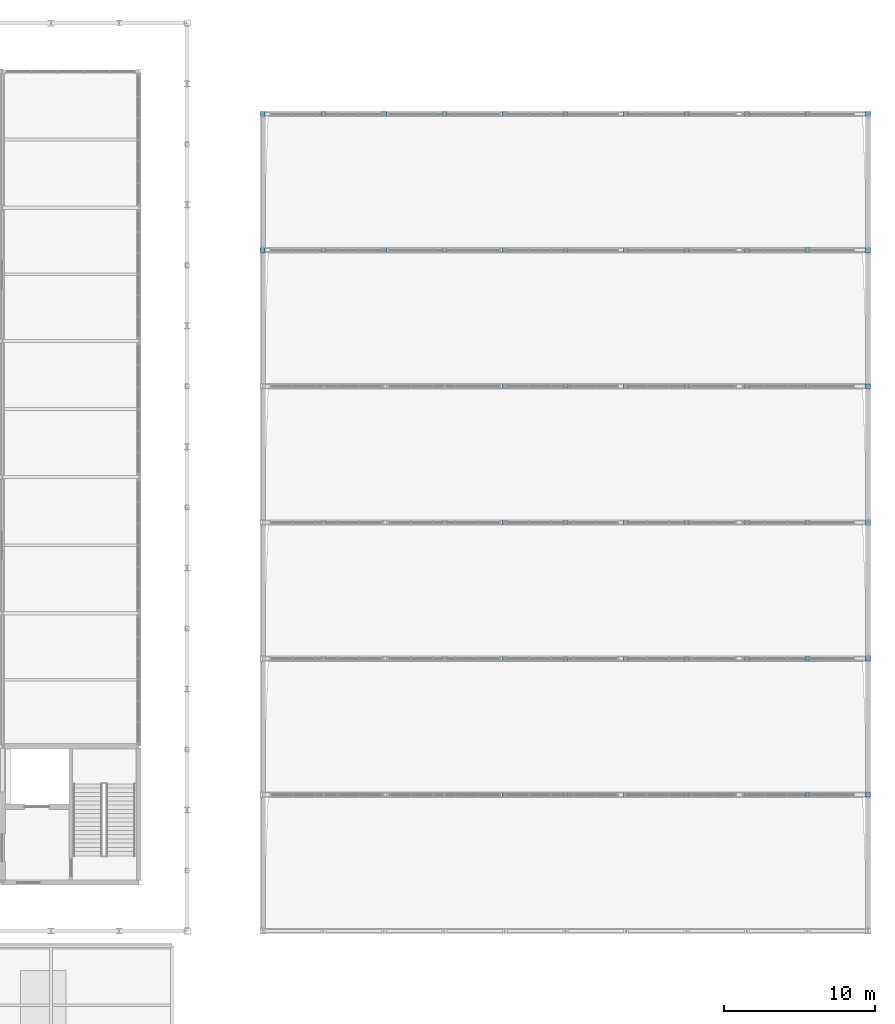
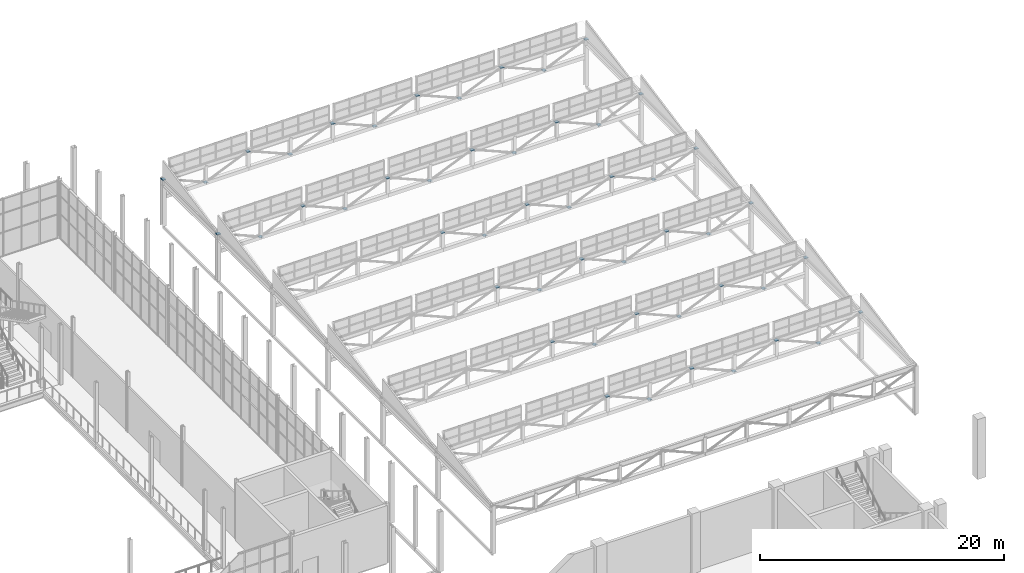
# One storey, part 138 of 159: 50 discrete accessories.
"""IFC4 building model written with IfcOpenShell, lengths in metres."""

import ifcopenshell
import ifcopenshell.guid

model = None  # the IFC model being written
_history = None  # IfcOwnerHistory: only IFC2X3 demands one
_inside = {}  # id of a spatial element -> (the spatial element, [elements in it])
_under = {}  # id of a project, library or spatial element -> (it, [spatial elements below it])
_declared = {}  # id of a project -> (the project, [libraries it declares])
_typed = {}  # id of a type object -> (the type object, [elements of that type])
_made_of = {}  # id of a material, layer set ... -> (it, [elements and type objects made of it])


def new_model(schema):
    """Start an empty IFC model of exactly this schema.

    Asked for "IFC4X3", IfcOpenShell would pick the latest addendum, in which some entities
    have other attributes; the version numbers below select the first issue.
    IFC2X3 requires an IfcOwnerHistory on every rooted entity: one is made here for all.
    """
    global model, _history
    if schema == "IFC4X3":
        model = ifcopenshell.file(schema_version=(4, 3, 0, 0))
    else:
        model = ifcopenshell.file(schema=schema)
    _inside.clear()
    _under.clear()
    _declared.clear()
    _typed.clear()
    _made_of.clear()
    _history = None
    if model.schema == "IFC2X3":
        org = make("IfcOrganization", Name="unknown")
        user = make(
            "IfcPersonAndOrganization",
            ThePerson=make("IfcPerson", FamilyName="unknown"),
            TheOrganization=org,
        )
        app = make(
            "IfcApplication",
            ApplicationDeveloper=org,
            Version="unknown",
            ApplicationFullName="unknown",
            ApplicationIdentifier="unknown",
        )
        _history = make(
            "IfcOwnerHistory",
            OwningUser=user,
            OwningApplication=app,
            ChangeAction="ADDED",
            CreationDate=0,
        )
    return model


def make(cls, **values):
    """One entity of the class cls with the attributes given. An attribute that is None is left unset."""
    return model.create_entity(
        cls, **{name: value for name, value in values.items() if value is not None}
    )


def rooted(cls, **values):
    """An entity with a GlobalId (a new one), such as an element, a storey or a relation."""
    return make(cls, GlobalId=ifcopenshell.guid.new(), OwnerHistory=_history, **values)


def si_unit(unit_type, name, prefix=None):
    """IfcSIUnit, for example si_unit("LENGTHUNIT", "METRE", prefix="MILLI")."""
    return make("IfcSIUnit", UnitType=unit_type, Prefix=prefix, Name=name)


def assignment(units):
    """IfcUnitAssignment: the units of a project."""
    return None if units is None else make("IfcUnitAssignment", Units=units)


def point(xyz):
    """IfcCartesianPoint."""
    return None if xyz is None else make("IfcCartesianPoint", Coordinates=xyz)


def direction(xyz):
    """IfcDirection."""
    return None if xyz is None else make("IfcDirection", DirectionRatios=xyz)


def frame(location, z_axis=None, x_axis=None):
    """IfcAxis2Placement3D, a coordinate frame: its origin and axes. An axis left out is left unset."""
    return make(
        "IfcAxis2Placement3D",
        Location=point(location),
        Axis=direction(z_axis),
        RefDirection=direction(x_axis),
    )


def frame_2d(location, x_axis=None):
    """IfcAxis2Placement2D, a coordinate frame in the plane: its origin and x axis."""
    return make(
        "IfcAxis2Placement2D", Location=point(location), RefDirection=direction(x_axis)
    )


def origin():
    """The frame at (0, 0, 0) with its axes left unset."""
    return frame((0.0, 0.0, 0.0))


def origin_2d():
    """The frame at (0, 0) in the plane with its x axis left unset."""
    return frame_2d((0.0, 0.0))


def place(relative_to, where):
    """IfcLocalPlacement: puts the frame where relative to a parent placement (None: the world)."""
    return make(
        "IfcLocalPlacement", PlacementRelTo=relative_to, RelativePlacement=where
    )


def context(
    kind, dimensions, precision=None, world=None, true_north=None, identifier=None
):
    """IfcGeometricRepresentationContext, for example the 3D "Model" context."""
    return make(
        "IfcGeometricRepresentationContext",
        ContextIdentifier=identifier,
        ContextType=kind,
        CoordinateSpaceDimension=dimensions,
        Precision=precision,
        WorldCoordinateSystem=world,
        TrueNorth=true_north,
    )


def subcontext(parent, identifier, kind, view, scale=None):
    """IfcGeometricRepresentationSubContext, for example "Body" below "Model"."""
    return make(
        "IfcGeometricRepresentationSubContext",
        ContextIdentifier=identifier,
        ContextType=kind,
        ParentContext=parent,
        TargetScale=scale,
        TargetView=view,
    )


def project(units=None, contexts=None):
    """IfcProject with its units and contexts."""
    return rooted(
        "IfcProject",
        Name="project",
        RepresentationContexts=contexts,
        UnitsInContext=assignment(units),
    )


def spatial(cls, under=None, at=None, **own):
    """A site, building, storey or space (cls), placed at a placement, below another one or the project."""
    s = rooted(cls, ObjectPlacement=at, **own)
    if under is not None:
        _under.setdefault(under.id(), (under, []))[1].append(s)
    return s


def profile(cls, at=None, kind="AREA", **sizes):
    """A parametric profile (cls). Its sizes go by their IFC names, for example OverallWidth=200.0."""
    return make(cls, ProfileType=kind, Position=at, **sizes)


def rectangle(**sizes):
    """IfcRectangleProfileDef."""
    return profile("IfcRectangleProfileDef", **sizes)


def extrude(swept, where, along, depth):
    """IfcExtrudedAreaSolid: the profile swept, set in the frame where, extruded along a direction by depth."""
    return make(
        "IfcExtrudedAreaSolid",
        SweptArea=swept,
        Position=where,
        ExtrudedDirection=direction(along),
        Depth=depth,
    )


def shape(context_of_items, identifier, shape_type, items):
    """IfcShapeRepresentation: the items that make up one representation, for example the "Body"."""
    return make(
        "IfcShapeRepresentation",
        ContextOfItems=context_of_items,
        RepresentationIdentifier=identifier,
        RepresentationType=shape_type,
        Items=items,
    )


def material(Name=None, Category=None):
    """IfcMaterial."""
    return make("IfcMaterial", Name=Name, Category=Category)


def made_of(thing, what):
    """Note that an element or type object is made of a material, layer set ...; save() writes the relation."""
    if what is not None:
        _made_of.setdefault(what.id(), (what, []))[1].append(thing)
    return thing


def type_object(cls, material=None, **own):
    """A type object (cls), such as IfcWallType, which elements share."""
    return made_of(rooted(cls, **own), material)


def element(
    cls,
    number,
    at=None,
    inside=None,
    cuts=None,
    type_object=None,
    material=None,
    context=None,
    identifier="Body",
    shape_type=None,
    held_by="IfcProductDefinitionShape",
    body=None,
    shapes=None,
    **own,
):
    """One element of the class cls, such as IfcWall. Its Tag is "e" and its number.

    at: its placement. inside: the storey or other place that contains it. cuts: it is an
    opening in that element (IfcRelVoidsElement). A single representation is given by context,
    identifier, shape_type and body (its items); several are given by shapes. held_by: the class
    of the entity that holds the representations. save() writes the other relations.
    """
    e = rooted(cls, Tag="e%d" % number, ObjectPlacement=at, **own)
    if body is not None:
        shapes = [shape(context, identifier, shape_type, body)]
    if shapes is not None:
        e.Representation = make(held_by, Representations=shapes)
    if inside is not None:
        _inside.setdefault(inside.id(), (inside, []))[1].append(e)
    if cuts is not None:
        rooted(
            "IfcRelVoidsElement", RelatingBuildingElement=cuts, RelatedOpeningElement=e
        )
    if type_object is not None:
        _typed.setdefault(type_object.id(), (type_object, []))[1].append(e)
    return made_of(e, material)


def aggregate(whole, parts):
    """IfcRelAggregates: a whole, such as a stair, and the parts it consists of."""
    return rooted("IfcRelAggregates", RelatingObject=whole, RelatedObjects=parts)


def save(model, path):
    """Write the relations noted so far, then the file.

    IfcRelAggregates (storeys below a building ...), IfcRelContainedInSpatialStructure (elements
    in a storey), IfcRelDefinesByType, IfcRelAssociatesMaterial and IfcRelDeclares: one each for
    every whole, place, type object, material and project.
    """
    for whole, parts in _under.values():
        aggregate(whole, parts)
    for where, things in _inside.values():
        rooted(
            "IfcRelContainedInSpatialStructure",
            RelatedElements=things,
            RelatingStructure=where,
        )
    for kind, things in _typed.values():
        rooted("IfcRelDefinesByType", RelatedObjects=things, RelatingType=kind)
    for what, things in _made_of.values():
        rooted("IfcRelAssociatesMaterial", RelatedObjects=things, RelatingMaterial=what)
    for by, libraries in _declared.values():
        rooted("IfcRelDeclares", RelatingContext=by, RelatedDefinitions=libraries)
    model.write(path)


model = new_model("IFC4")

# Units and contexts
model_context = context("Model", 3, precision=1e-05, world=origin(), true_north=direction((0.0, 1.0)))
body_context = subcontext(model_context, "Body", "Model", "MODEL_VIEW")
ifc_project = project(units=[si_unit("LENGTHUNIT", "METRE"), si_unit("AREAUNIT", "SQUARE_METRE"), si_unit("VOLUMEUNIT", "CUBIC_METRE"), si_unit("PLANEANGLEUNIT", "RADIAN"), si_unit("MASSUNIT", "GRAM", prefix="KILO")], contexts=[model_context])

# Site, building, storey
site_placement = place(None, origin())
site = spatial("IfcSite", under=ifc_project, at=site_placement, CompositionType="ELEMENT")
building_placement = place(site_placement, origin())
building = spatial("IfcBuilding", under=site, at=building_placement, Name="Cazmaro Siding Exhibition Halls", CompositionType="ELEMENT")
storey_placement = place(building_placement, frame((0.0, 0.0, 6.0)))
storey = spatial("IfcBuildingStorey", under=building, at=storey_placement, Name="L01", CompositionType="ELEMENT", Elevation=6.0)

# Discrete accessories
ifc_material = material(Name="Steel ASTM A572 Grade 50", Category="steel")
discrete_accessory_type = type_object("IfcDiscreteAccessoryType", Name="GP-CONN-01", PredefinedType="BRACKET", material=ifc_material)
for number, where, z_axis, x_axis, name in (
    (1, (176.0, 109.0, 4.634765625), (0.0, 0.0, 1.0), (1.0, 0.0, 0.0), "Welded Steel Brace Node Gusset Connection GP-01 0817"),
    (2, (176.0, 118.0, 4.634765625), (0.0, 0.0, 1.0), (1.0, 0.0, 0.0), "Welded Steel Brace Node Gusset Connection GP-01 0818"),
    (3, (180.0, 109.0, 2.93505859375), (0.0, 0.0, 1.0), (1.0, 0.0, 0.0), "Welded Steel Brace Node Gusset Connection GP-01 0835"),
    (4, (180.0, 118.0, 2.93505859375), (0.0, 0.0, 1.0), (1.0, 0.0, 0.0), "Welded Steel Brace Node Gusset Connection GP-01 0836"),
    (5, (184.0, 109.0, 4.634765625), (0.0, 0.0, 1.0), (1.0, 0.0, 0.0), "Welded Steel Brace Node Gusset Connection GP-01 0842"),
    (6, (184.0, 118.0, 4.634765625), (0.0, 0.0, 1.0), (1.0, 0.0, 0.0), "Welded Steel Brace Node Gusset Connection GP-01 0843"),
    (7, (188.0, 109.0, 2.93505859375), (0.0, 0.0, 1.0), (1.0, 0.0, 0.0), "Welded Steel Brace Node Gusset Connection GP-01 0849"),
    (8, (188.0, 118.0, 2.93505859375), (0.0, 0.0, 1.0), (1.0, 0.0, 0.0), "Welded Steel Brace Node Gusset Connection GP-01 0850"),
    (9, (192.0, 73.0, 4.634765625), (0.0, 0.0, 1.0), (1.0, 0.0, 0.0), "Welded Steel Brace Node Gusset Connection GP-01 0863"),
    (10, (192.0, 82.0, 4.634765625), (0.0, 0.0, 1.0), (1.0, 0.0, 0.0), "Welded Steel Brace Node Gusset Connection GP-01 0864"),
    (11, (192.0, 91.0, 4.634765625), (0.0, 0.0, 1.0), (1.0, 0.0, 0.0), "Welded Steel Brace Node Gusset Connection GP-01 0865"),
    (12, (192.0, 100.0, 4.634765625), (0.0, 0.0, 1.0), (1.0, 0.0, 0.0), "Welded Steel Brace Node Gusset Connection GP-01 0866"),
    (13, (192.0, 109.0, 4.634765625), (0.0, 0.0, 1.0), (1.0, 0.0, 0.0), "Welded Steel Brace Node Gusset Connection GP-01 0867"),
    (14, (192.0, 118.0, 4.634765625), (0.0, 0.0, 1.0), (1.0, 0.0, 0.0), "Welded Steel Brace Node Gusset Connection GP-01 0868"),
    (15, (196.0, 73.0, 2.93505859375), (0.0, 0.0, 1.0), (1.0, 0.0, 0.0), "Welded Steel Brace Node Gusset Connection GP-01 0870"),
    (16, (196.0, 82.0, 2.93505859375), (0.0, 0.0, 1.0), (1.0, 0.0, 0.0), "Welded Steel Brace Node Gusset Connection GP-01 0871"),
    (17, (196.0, 91.0, 2.93505859375), (0.0, 0.0, 1.0), (1.0, 0.0, 0.0), "Welded Steel Brace Node Gusset Connection GP-01 0872"),
    (18, (196.0, 100.0, 2.93505859375), (0.0, 0.0, 1.0), (1.0, 0.0, 0.0), "Welded Steel Brace Node Gusset Connection GP-01 0873"),
    (19, (196.0, 109.0, 2.93505859375), (0.0, 0.0, 1.0), (1.0, 0.0, 0.0), "Welded Steel Brace Node Gusset Connection GP-01 0874"),
    (20, (196.0, 118.0, 2.93505859375), (0.0, 0.0, 1.0), (1.0, 0.0, 0.0), "Welded Steel Brace Node Gusset Connection GP-01 0875"),
    (21, (200.0, 73.0, 4.634765625), (0.0, 0.0, 1.0), (1.0, 0.0, 0.0), "Welded Steel Brace Node Gusset Connection GP-01 0888"),
    (22, (200.0, 82.0, 4.634765625), (0.0, 0.0, 1.0), (1.0, 0.0, 0.0), "Welded Steel Brace Node Gusset Connection GP-01 0889"),
    (23, (200.0, 91.0, 4.634765625), (0.0, 0.0, 1.0), (1.0, 0.0, 0.0), "Welded Steel Brace Node Gusset Connection GP-01 0890"),
    (24, (200.0, 100.0, 4.634765625), (0.0, 0.0, 1.0), (1.0, 0.0, 0.0), "Welded Steel Brace Node Gusset Connection GP-01 0891"),
    (25, (200.0, 109.0, 4.634765625), (0.0, 0.0, 1.0), (1.0, 0.0, 0.0), "Welded Steel Brace Node Gusset Connection GP-01 0892"),
    (26, (200.0, 118.0, 4.634765625), (0.0, 0.0, 1.0), (1.0, 0.0, 0.0), "Welded Steel Brace Node Gusset Connection GP-01 0893"),
    (27, (204.0, 73.0, 2.93505859375), (0.0, 0.0, 1.0), (1.0, 0.0, 0.0), "Welded Steel Brace Node Gusset Connection GP-01 0895"),
    (28, (204.0, 82.0, 2.93505859375), (0.0, 0.0, 1.0), (1.0, 0.0, 0.0), "Welded Steel Brace Node Gusset Connection GP-01 0896"),
    (29, (204.0, 91.0, 2.93505859375), (0.0, 0.0, 1.0), (1.0, 0.0, 0.0), "Welded Steel Brace Node Gusset Connection GP-01 0897"),
    (30, (204.0, 100.0, 2.93505859375), (0.0, 0.0, 1.0), (1.0, 0.0, 0.0), "Welded Steel Brace Node Gusset Connection GP-01 0898"),
    (31, (204.0, 109.0, 2.93505859375), (0.0, 0.0, 1.0), (1.0, 0.0, 0.0), "Welded Steel Brace Node Gusset Connection GP-01 0899"),
    (32, (204.0, 118.0, 2.93505859375), (0.0, 0.0, 1.0), (1.0, 0.0, 0.0), "Welded Steel Brace Node Gusset Connection GP-01 0900"),
    (33, (208.0, 73.0, 4.634765625), (0.0, 0.0, 1.0), (1.0, 0.0, 0.0), "Welded Steel Brace Node Gusset Connection GP-01 0913"),
    (34, (208.0, 82.0, 4.634765625), (0.0, 0.0, 1.0), (1.0, 0.0, 0.0), "Welded Steel Brace Node Gusset Connection GP-01 0914"),
    (35, (208.0, 91.0, 4.634765625), (0.0, 0.0, 1.0), (1.0, 0.0, 0.0), "Welded Steel Brace Node Gusset Connection GP-01 0915"),
    (36, (208.0, 100.0, 4.634765625), (0.0, 0.0, 1.0), (1.0, 0.0, 0.0), "Welded Steel Brace Node Gusset Connection GP-01 0916"),
    (37, (208.0, 109.0, 4.634765625), (0.0, 0.0, 1.0), (1.0, 0.0, 0.0), "Welded Steel Brace Node Gusset Connection GP-01 0917"),
    (38, (208.0, 118.0, 4.634765625), (0.0, 0.0, 1.0), (1.0, 0.0, 0.0), "Welded Steel Brace Node Gusset Connection GP-01 0918"),
    (39, (212.0, 73.0, 2.93505859375), (0.0, 0.0, 1.0), (1.0, 0.0, 0.0), "Welded Steel Brace Node Gusset Connection GP-01 0920"),
    (40, (212.0, 82.0, 2.93505859375), (0.0, 0.0, 1.0), (1.0, 0.0, 0.0), "Welded Steel Brace Node Gusset Connection GP-01 0921"),
    (41, (212.0, 91.0, 2.93505859375), (0.0, 0.0, 1.0), (1.0, 0.0, 0.0), "Welded Steel Brace Node Gusset Connection GP-01 0922"),
    (42, (212.0, 100.0, 2.93505859375), (0.0, 0.0, 1.0), (1.0, 0.0, 0.0), "Welded Steel Brace Node Gusset Connection GP-01 0923"),
    (43, (212.0, 109.0, 2.93505859375), (0.0, 0.0, 1.0), (1.0, 0.0, 0.0), "Welded Steel Brace Node Gusset Connection GP-01 0924"),
    (44, (212.0, 118.0, 2.93505859375), (0.0, 0.0, 1.0), (1.0, 0.0, 0.0), "Welded Steel Brace Node Gusset Connection GP-01 0925"),
    (45, (216.0, 73.0, 4.634765625), (0.0, 0.0, 1.0), (1.0, 0.0, 0.0), "Welded Steel Brace Node Gusset Connection GP-01 0927"),
    (46, (216.0, 82.0, 4.634765625), (0.0, 0.0, 1.0), (1.0, 0.0, 0.0), "Welded Steel Brace Node Gusset Connection GP-01 0928"),
    (47, (216.0, 91.0, 4.634765625), (0.0, 0.0, 1.0), (1.0, 0.0, 0.0), "Welded Steel Brace Node Gusset Connection GP-01 0929"),
    (48, (216.0, 100.0, 4.634765625), (0.0, 0.0, 1.0), (1.0, 0.0, 0.0), "Welded Steel Brace Node Gusset Connection GP-01 0930"),
    (49, (216.0, 109.0, 4.634765625), (0.0, 0.0, 1.0), (1.0, 0.0, 0.0), "Welded Steel Brace Node Gusset Connection GP-01 0931"),
    (50, (216.0, 118.0, 4.634765625), (0.0, 0.0, 1.0), (1.0, 0.0, 0.0), "Welded Steel Brace Node Gusset Connection GP-01 0932"),
):
    element("IfcDiscreteAccessory", number, at=place(storey_placement, frame(where, z_axis=z_axis, x_axis=x_axis)), inside=storey, type_object=discrete_accessory_type, Name=name, PredefinedType="BRACKET", context=body_context, shape_type="SweptSolid", body=[
        extrude(rectangle(XDim=0.320068359375, YDim=0.320068359375, at=origin_2d()), origin(), (0.0, 0.0, 1.0), 0.030029296875),
    ])

save(model, "model.ifc")
